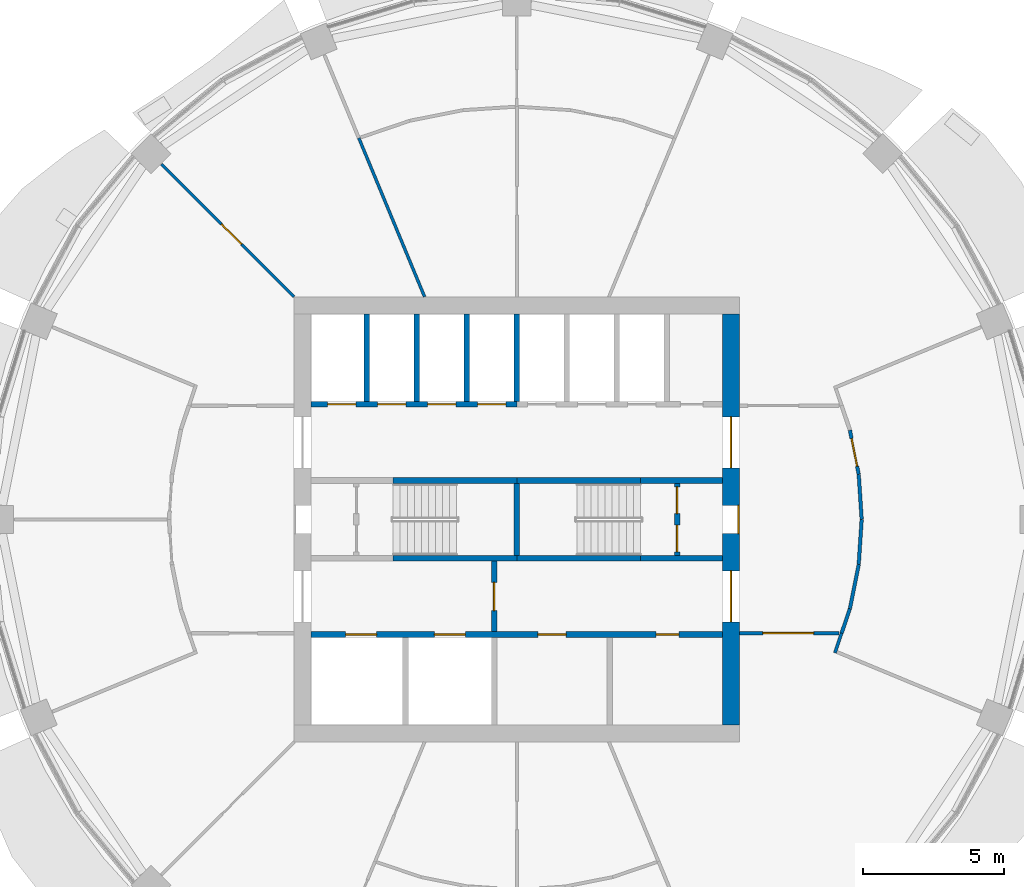
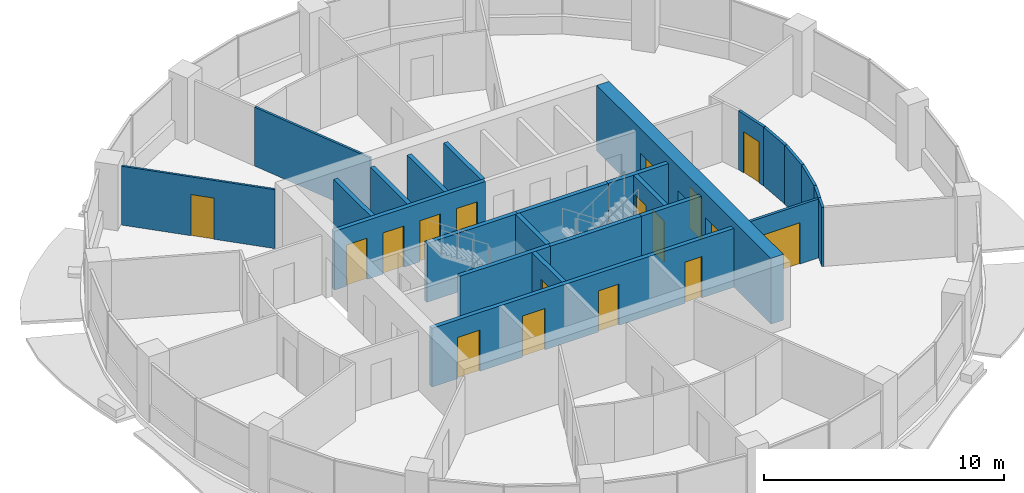
# One storey, part 9 of 14: 25 walls, 17 doors, 17 openings.
"""IFC4 building model written with IfcOpenShell, lengths in metres."""

from ifc_helpers import new_model, si_unit, direction, frame, frame_2d, origin, place, context, subcontext, project, spatial, rectangle, extrude, material, layer, layer_set, type_object, element, fill, save


model = new_model("IFC4")

# Units and contexts
model_context = context("Model", 3, precision=1e-05, world=origin(), true_north=direction((0.0, 1.0)))
body_context = subcontext(model_context, "Body", "Model", "MODEL_VIEW")
ifc_project = project(units=[si_unit("LENGTHUNIT", "METRE"), si_unit("AREAUNIT", "SQUARE_METRE"), si_unit("VOLUMEUNIT", "CUBIC_METRE"), si_unit("PLANEANGLEUNIT", "RADIAN"), si_unit("MASSUNIT", "GRAM", prefix="KILO")], contexts=[model_context])

# Site, building, storey
site_placement = place(None, origin())
site = spatial("IfcSite", under=ifc_project, at=site_placement, CompositionType="ELEMENT")
building_placement = place(site_placement, origin())
building = spatial("IfcBuilding", under=site, at=building_placement, Name="Polderwave Tower", CompositionType="ELEMENT")
storey_placement = place(building_placement, frame((0.0, 0.0, 141.050048828125)))
storey = spatial("IfcBuildingStorey", under=building, at=storey_placement, Name="L37", CompositionType="ELEMENT", Elevation=141.050048828125)

# Wall, openings, doors
ifc_material_1 = material(Name="Concrete C60/75", Category="concrete")
ifc_layer_1 = layer(ifc_material_1, 0.60009765625)
ifc_layer_set_1 = layer_set([ifc_layer_1], Name="CORE WALL 600 C60/75")
wall_type_1 = type_object("IfcWallType", Name="CORE WALL 600 C60/75", PredefinedType="SHEAR", material=ifc_layer_set_1)
wall_1_placement = place(storey_placement, frame((7.573974609375, -7.27392578125, 0.0), z_axis=(0.0, 0.0, 1.0), x_axis=(0.0, 1.0, 0.0)))
wall_1 = element("IfcWall", 1, at=wall_1_placement, inside=storey, type_object=wall_type_1, Name="ST-CORE-L37-E", PredefinedType="SHEAR", context=body_context, shape_type="SweptSolid", body=[
    extrude(rectangle(XDim=14.5478515625, YDim=0.60009765625, at=frame_2d((7.27392578125, 0.0))), origin(), (0.0, 0.0, 1.0), 3.349853515625),
])
opening_1_placement = place(wall_1_placement, frame((6.77392578125, 0.0, 0.0)))
opening_1 = element("IfcOpeningElement", 2, at=opening_1_placement, cuts=wall_1, Name="Opening L37-D21", PredefinedType="OPENING", context=body_context, shape_type="SweptSolid", body=[
    extrude(rectangle(XDim=1.0, YDim=2.10009765625, at=frame_2d((0.5, 1.050048828125))), frame((0.0, 0.31005859375, 0.0), z_axis=(0.0, -1.0, 0.0), x_axis=(1.0, 0.0, 0.0)), (0.0, 0.0, 1.0), 0.6201171875),
])
opening_2_placement = place(wall_1_placement, frame((3.6494140625, 0.0, 0.0)))
opening_2 = element("IfcOpeningElement", 3, at=opening_2_placement, cuts=wall_1, Name="Opening L37-D22", PredefinedType="OPENING", context=body_context, shape_type="SweptSolid", body=[
    extrude(rectangle(XDim=1.800048828125, YDim=2.10009765625, at=frame_2d((0.89990234375, 1.050048828125))), frame((0.0, 0.31005859375, 0.0), z_axis=(0.0, -1.0, 0.0), x_axis=(1.0, 0.0, 0.0)), (0.0, 0.0, 1.0), 0.6201171875),
])
opening_3_placement = place(wall_1_placement, frame((9.098388671875, 0.0, 0.0)))
opening_3 = element("IfcOpeningElement", 4, at=opening_3_placement, cuts=wall_1, Name="Opening L37-D23", PredefinedType="OPENING", context=body_context, shape_type="SweptSolid", body=[
    extrude(rectangle(XDim=1.800048828125, YDim=2.10009765625, at=frame_2d((0.89990234375, 1.050048828125))), frame((0.0, 0.31005859375, 0.0), z_axis=(0.0, -1.0, 0.0), x_axis=(1.0, 0.0, 0.0)), (0.0, 0.0, 1.0), 0.6201171875),
])
ifc_material_2 = material(Name="Steel fire door", Category="steel")
door_type_1 = type_object("IfcDoorType", Name="Lobby entry door pair 1800", OperationType="DOUBLE_DOOR_SINGLE_SWING", PredefinedType="DOOR", material=ifc_material_2)
door_1_placement = place(opening_2_placement, frame((1.800048828125, 0.0, 0.0), z_axis=(0.0, 0.0, 1.0), x_axis=(-1.0, 0.0, 0.0)))
door_1 = element("IfcDoor", 5, at=door_1_placement, inside=storey, type_object=door_type_1, Name="South lobby entry door", OperationType="DOUBLE_DOOR_SINGLE_SWING", OverallHeight=2.10009765625, OverallWidth=1.800048828125, PredefinedType="DOOR", context=body_context, shape_type="SweptSolid", body=[
    extrude(rectangle(XDim=1.800048828125, YDim=2.10009765625, at=frame_2d((0.89990234375, 1.050048828125))), frame((0.0, 0.02490234375, 0.0), z_axis=(0.0, -1.0, 0.0), x_axis=(1.0, 0.0, 0.0)), (0.0, 0.0, 1.0), 0.050048828125),
])
fill(opening_2, door_1)
door_2_placement = place(opening_3_placement, frame((1.800048828125, 0.0, 0.0), z_axis=(0.0, 0.0, 1.0), x_axis=(-1.0, 0.0, 0.0)))
door_2 = element("IfcDoor", 6, at=door_2_placement, inside=storey, type_object=door_type_1, Name="North lobby entry door", OperationType="DOUBLE_DOOR_SINGLE_SWING", OverallHeight=2.10009765625, OverallWidth=1.800048828125, PredefinedType="DOOR", context=body_context, shape_type="SweptSolid", body=[
    extrude(rectangle(XDim=1.800048828125, YDim=2.10009765625, at=frame_2d((0.89990234375, 1.050048828125))), frame((0.0, 0.02490234375, 0.0), z_axis=(0.0, -1.0, 0.0), x_axis=(1.0, 0.0, 0.0)), (0.0, 0.0, 1.0), 0.050048828125),
])
fill(opening_3, door_2)
door_type_2 = type_object("IfcDoorType", Name="Stair door 1000", OperationType="NOTDEFINED", PredefinedType="DOOR", material=ifc_material_2)
door_3_placement = place(opening_1_placement, frame((1.0, 0.0, 0.0), z_axis=(0.0, 0.0, 1.0), x_axis=(-1.0, 0.0, 0.0)))
door_3 = element("IfcDoor", 7, at=door_3_placement, inside=storey, type_object=door_type_2, Name="Stair B entry door", OperationType="SINGLE_SWING_LEFT", OverallHeight=2.10009765625, OverallWidth=1.0, PredefinedType="DOOR", context=body_context, shape_type="SweptSolid", body=[
    extrude(rectangle(XDim=1.0, YDim=2.10009765625, at=frame_2d((0.5, 1.050048828125))), frame((0.0, 0.2998046875, 0.0), z_axis=(0.0, -1.0, 0.0), x_axis=(1.0, 0.0, 0.0)), (0.0, 0.0, 1.0), 0.050048828125),
])
fill(opening_1, door_3)

# Wall, opening, door
ifc_material_3 = material(Name="Gypsum board partition")
ifc_layer_2 = layer(ifc_material_3, 0.199951171875)
ifc_layer_set_2 = layer_set([ifc_layer_2], Name="Core room partition 200")
wall_type_2 = type_object("IfcWallType", Name="Core room partition 200", PredefinedType="PARTITIONING", material=ifc_layer_set_2)
wall_2_placement = place(storey_placement, frame((-0.800048828125, -3.97412109375, 0.0), z_axis=(0.0, 0.0, 1.0), x_axis=(0.0, 1.0, 0.0)))
wall_2 = element("IfcWall", 8, at=wall_2_placement, inside=storey, type_object=wall_type_2, Name="L37 fire-fighting lobby wall", PredefinedType="PARTITIONING", context=body_context, shape_type="SweptSolid", body=[
    extrude(rectangle(XDim=2.4990234375, YDim=0.199951171875, at=frame_2d((1.24951171875, 0.0))), origin(), (0.0, 0.0, 1.0), 3.0),
])
opening_4_placement = place(wall_2_placement, frame((0.74951171875, 0.0, 0.0)))
opening_4 = element("IfcOpeningElement", 9, at=opening_4_placement, cuts=wall_2, Name="Opening L37-D14", PredefinedType="OPENING", context=body_context, shape_type="SweptSolid", body=[
    extrude(rectangle(XDim=1.0, YDim=2.10009765625, at=frame_2d((0.5, 1.050048828125))), frame((0.0, 0.10986328125, 0.0), z_axis=(0.0, -1.0, 0.0), x_axis=(1.0, 0.0, 0.0)), (0.0, 0.0, 1.0), 0.219970703125),
])
door_type_3 = type_object("IfcDoorType", Name="Lobby fire door 1000", OperationType="NOTDEFINED", PredefinedType="DOOR", material=ifc_material_2)
door_4_placement = place(opening_4_placement, frame((1.0, 0.0, 0.0), z_axis=(0.0, 0.0, 1.0), x_axis=(-1.0, 0.0, 0.0)))
door_4 = element("IfcDoor", 10, at=door_4_placement, inside=storey, type_object=door_type_3, Name="Fire-fighting lobby door", OperationType="SINGLE_SWING_LEFT", OverallHeight=2.10009765625, OverallWidth=1.0, PredefinedType="DOOR", context=body_context, shape_type="SweptSolid", body=[
    extrude(rectangle(XDim=1.0, YDim=2.10009765625, at=frame_2d((0.5, 1.050048828125))), frame((0.0, 0.02490234375, 0.0), z_axis=(0.0, -1.0, 0.0), x_axis=(1.0, 0.0, 0.0)), (0.0, 0.0, 1.0), 0.050048828125),
])
fill(opening_4, door_4)

# Wall, openings, doors
wall_3_placement = place(storey_placement, frame((5.674072265625, -1.27490234375, 0.0), z_axis=(0.0, 0.0, 1.0), x_axis=(0.0, 1.0, 0.0)))
wall_3 = element("IfcWall", 11, at=wall_3_placement, inside=storey, type_object=wall_type_2, Name="L37 smoke lobby wall B", PredefinedType="PARTITIONING", context=body_context, shape_type="SweptSolid", body=[
    extrude(rectangle(XDim=2.5498046875, YDim=0.199951171875, at=frame_2d((1.27490234375, 0.0))), origin(), (0.0, 0.0, 1.0), 3.0),
])
opening_5_placement = place(wall_3_placement, frame((0.125, 0.0, 0.0)))
opening_5 = element("IfcOpeningElement", 12, at=opening_5_placement, cuts=wall_3, Name="Opening L37-D12", PredefinedType="OPENING", context=body_context, shape_type="SweptSolid", body=[
    extrude(rectangle(XDim=0.949951171875, YDim=2.10009765625, at=frame_2d((0.47509765625, 1.050048828125))), frame((0.0, 0.10986328125, 0.0), z_axis=(0.0, -1.0, 0.0), x_axis=(1.0, 0.0, 0.0)), (0.0, 0.0, 1.0), 0.219970703125),
])
opening_6_placement = place(wall_3_placement, frame((1.47509765625, 0.0, 0.0)))
opening_6 = element("IfcOpeningElement", 13, at=opening_6_placement, cuts=wall_3, Name="Opening L37-D13", PredefinedType="OPENING", context=body_context, shape_type="SweptSolid", body=[
    extrude(rectangle(XDim=0.949951171875, YDim=2.10009765625, at=frame_2d((0.47509765625, 1.050048828125))), frame((0.0, 0.10986328125, 0.0), z_axis=(0.0, -1.0, 0.0), x_axis=(1.0, 0.0, 0.0)), (0.0, 0.0, 1.0), 0.219970703125),
])
door_type_4 = type_object("IfcDoorType", Name="Smoke lobby door 950", OperationType="NOTDEFINED", PredefinedType="DOOR", material=ifc_material_2)
door_5_placement = place(opening_5_placement, frame((0.949951171875, 0.0, 0.0), z_axis=(0.0, 0.0, 1.0), x_axis=(-1.0, 0.0, 0.0)))
door_5 = element("IfcDoor", 14, at=door_5_placement, inside=storey, type_object=door_type_4, Name="Stair B smoke lobby inner door", OperationType="SINGLE_SWING_RIGHT", OverallHeight=2.10009765625, OverallWidth=0.949951171875, PredefinedType="DOOR", context=body_context, shape_type="SweptSolid", body=[
    extrude(rectangle(XDim=0.949951171875, YDim=2.10009765625, at=frame_2d((0.47509765625, 1.050048828125))), frame((0.0, 0.02490234375, 0.0), z_axis=(0.0, -1.0, 0.0), x_axis=(1.0, 0.0, 0.0)), (0.0, 0.0, 1.0), 0.050048828125),
])
fill(opening_5, door_5)
door_6_placement = place(opening_6_placement, frame((0.949951171875, 0.0, 0.0), z_axis=(0.0, 0.0, 1.0), x_axis=(-1.0, 0.0, 0.0)))
door_6 = element("IfcDoor", 15, at=door_6_placement, inside=storey, type_object=door_type_4, Name="Stair B smoke lobby inner door", OperationType="SINGLE_SWING_LEFT", OverallHeight=2.10009765625, OverallWidth=0.949951171875, PredefinedType="DOOR", context=body_context, shape_type="SweptSolid", body=[
    extrude(rectangle(XDim=0.949951171875, YDim=2.10009765625, at=frame_2d((0.47509765625, 1.050048828125))), frame((0.0, 0.02490234375, 0.0), z_axis=(0.0, -1.0, 0.0), x_axis=(1.0, 0.0, 0.0)), (0.0, 0.0, 1.0), 0.050048828125),
])
fill(opening_6, door_6)

ifc_material_4 = material(Name="Concrete C50/60", Category="concrete")
ifc_layer_3 = layer(ifc_material_4, 0.199951171875)
ifc_layer_set_3 = layer_set([ifc_layer_3], Name="Core web wall 200")
wall_type_3 = type_object("IfcWallType", Name="Core web wall 200", PredefinedType="SHEAR", material=ifc_layer_set_3)
wall_4_placement = place(storey_placement, frame((-7.27392578125, -4.073974609375, 0.0), z_axis=(0.0, 0.0, 1.0), x_axis=(1.0, 0.0, 0.0)))
wall_4 = element("IfcWall", 16, at=wall_4_placement, inside=storey, type_object=wall_type_3, Name="L37 south front wall", PredefinedType="SHEAR", context=body_context, shape_type="SweptSolid", body=[
    extrude(rectangle(XDim=14.5478515625, YDim=0.199951171875, at=frame_2d((7.27392578125, 0.0))), origin(), (0.0, 0.0, 1.0), 3.0),
])
opening_7_placement = place(wall_4_placement, frame((1.218505859375, 0.0, 0.0)))
opening_7 = element("IfcOpeningElement", 17, at=opening_7_placement, cuts=wall_4, Name="Opening L37-D01", PredefinedType="OPENING", context=body_context, shape_type="SweptSolid", body=[
    extrude(rectangle(XDim=1.10009765625, YDim=2.10009765625, at=frame_2d((0.550048828125, 1.050048828125))), frame((0.0, 0.10986328125, 0.0), z_axis=(0.0, -1.0, 0.0), x_axis=(1.0, 0.0, 0.0)), (0.0, 0.0, 1.0), 0.219970703125),
])
opening_8_placement = place(wall_4_placement, frame((4.35546875, 0.0, 0.0)))
opening_8 = element("IfcOpeningElement", 18, at=opening_8_placement, cuts=wall_4, Name="Opening L37-D02", PredefinedType="OPENING", context=body_context, shape_type="SweptSolid", body=[
    extrude(rectangle(XDim=1.10009765625, YDim=2.10009765625, at=frame_2d((0.550048828125, 1.050048828125))), frame((0.0, 0.10986328125, 0.0), z_axis=(0.0, -1.0, 0.0), x_axis=(1.0, 0.0, 0.0)), (0.0, 0.0, 1.0), 0.219970703125),
])
opening_9_placement = place(wall_4_placement, frame((8.017578125, 0.0, 0.0)))
opening_9 = element("IfcOpeningElement", 19, at=opening_9_placement, cuts=wall_4, Name="Opening L37-D15", PredefinedType="OPENING", context=body_context, shape_type="SweptSolid", body=[
    extrude(rectangle(XDim=1.0, YDim=2.10009765625, at=frame_2d((0.5, 1.050048828125))), frame((0.0, 0.10986328125, 0.0), z_axis=(0.0, -1.0, 0.0), x_axis=(1.0, 0.0, 0.0)), (0.0, 0.0, 1.0), 0.219970703125),
])
opening_10_placement = place(wall_4_placement, frame((12.20458984375, 0.0, 0.0)))
opening_10 = element("IfcOpeningElement", 20, at=opening_10_placement, cuts=wall_4, Name="Opening L37-D16", PredefinedType="OPENING", context=body_context, shape_type="SweptSolid", body=[
    extrude(rectangle(XDim=0.800048828125, YDim=2.10009765625, at=frame_2d((0.39990234375, 1.050048828125))), frame((0.0, 0.10986328125, 0.0), z_axis=(0.0, -1.0, 0.0), x_axis=(1.0, 0.0, 0.0)), (0.0, 0.0, 1.0), 0.219970703125),
])
ifc_material_5 = material(Name="Stainless steel", Category="steel")
door_type_5 = type_object("IfcDoorType", Name="Fire-fighting lift landing door 1100", OperationType="DOUBLE_DOOR_SLIDING", PredefinedType="DOOR", material=ifc_material_5)
door_7_placement = place(opening_7_placement, origin())
door_7 = element("IfcDoor", 21, at=door_7_placement, inside=storey, type_object=door_type_5, Name="Fire-fighting lift FF1 landing door", OperationType="DOUBLE_DOOR_SLIDING", OverallHeight=2.10009765625, OverallWidth=1.10009765625, PredefinedType="DOOR", context=body_context, shape_type="SweptSolid", body=[
    extrude(rectangle(XDim=1.10009765625, YDim=2.10009765625, at=frame_2d((0.550048828125, 1.050048828125))), frame((0.0, 0.02490234375, 0.0), z_axis=(0.0, -1.0, 0.0), x_axis=(1.0, 0.0, 0.0)), (0.0, 0.0, 1.0), 0.050048828125),
])
fill(opening_7, door_7)
door_8_placement = place(opening_8_placement, origin())
door_8 = element("IfcDoor", 22, at=door_8_placement, inside=storey, type_object=door_type_5, Name="Fire-fighting lift FF2 landing door", OperationType="DOUBLE_DOOR_SLIDING", OverallHeight=2.10009765625, OverallWidth=1.10009765625, PredefinedType="DOOR", context=body_context, shape_type="SweptSolid", body=[
    extrude(rectangle(XDim=1.10009765625, YDim=2.10009765625, at=frame_2d((0.550048828125, 1.050048828125))), frame((0.0, 0.02490234375, 0.0), z_axis=(0.0, -1.0, 0.0), x_axis=(1.0, 0.0, 0.0)), (0.0, 0.0, 1.0), 0.050048828125),
])
fill(opening_8, door_8)
door_type_6 = type_object("IfcDoorType", Name="Riser door 800", OperationType="NOTDEFINED", PredefinedType="DOOR", material=ifc_material_2)
door_9_placement = place(opening_10_placement, origin())
door_9 = element("IfcDoor", 23, at=door_9_placement, inside=storey, type_object=door_type_6, Name="Switch room door", OperationType="SINGLE_SWING_RIGHT", OverallHeight=2.10009765625, OverallWidth=0.800048828125, PredefinedType="DOOR", context=body_context, shape_type="SweptSolid", body=[
    extrude(rectangle(XDim=0.800048828125, YDim=2.10009765625, at=frame_2d((0.39990234375, 1.050048828125))), frame((0.0, 0.02490234375, 0.0), z_axis=(0.0, -1.0, 0.0), x_axis=(1.0, 0.0, 0.0)), (0.0, 0.0, 1.0), 0.050048828125),
])
fill(opening_10, door_9)
ifc_material_6 = material(Name="Timber door leaf", Category="wood")
door_type_7 = type_object("IfcDoorType", Name="Room door 1000", OperationType="NOTDEFINED", PredefinedType="DOOR", material=ifc_material_6)
door_10_placement = place(opening_9_placement, origin())
door_10 = element("IfcDoor", 24, at=door_10_placement, inside=storey, type_object=door_type_7, Name="Plant room door", OperationType="SINGLE_SWING_RIGHT", OverallHeight=2.10009765625, OverallWidth=1.0, PredefinedType="DOOR", context=body_context, shape_type="SweptSolid", body=[
    extrude(rectangle(XDim=1.0, YDim=2.10009765625, at=frame_2d((0.5, 1.050048828125))), frame((0.0, 0.02490234375, 0.0), z_axis=(0.0, -1.0, 0.0), x_axis=(1.0, 0.0, 0.0)), (0.0, 0.0, 1.0), 0.050048828125),
])
fill(opening_9, door_10)

wall_5_placement = place(storey_placement, frame((-7.27392578125, 4.073974609375, 0.0), z_axis=(0.0, 0.0, 1.0), x_axis=(1.0, 0.0, 0.0)))
wall_5 = element("IfcWall", 25, at=wall_5_placement, inside=storey, type_object=wall_type_3, Name="L37 north front wall 1", PredefinedType="SHEAR", context=body_context, shape_type="SweptSolid", body=[
    extrude(rectangle(XDim=7.27392578125, YDim=0.199951171875, at=frame_2d((3.636962890625, 0.0))), origin(), (0.0, 0.0, 1.0), 3.0),
])
opening_11_placement = place(wall_5_placement, frame((0.584228515625, 0.0, 0.0)))
opening_11 = element("IfcOpeningElement", 26, at=opening_11_placement, cuts=wall_5, Name="Opening L37-D03", PredefinedType="OPENING", context=body_context, shape_type="SweptSolid", body=[
    extrude(rectangle(XDim=1.0, YDim=2.10009765625, at=frame_2d((0.5, 1.050048828125))), frame((0.0, 0.10986328125, 0.0), z_axis=(0.0, -1.0, 0.0), x_axis=(1.0, 0.0, 0.0)), (0.0, 0.0, 1.0), 0.219970703125),
])
opening_12_placement = place(wall_5_placement, frame((2.352783203125, 0.0, 0.0)))
opening_12 = element("IfcOpeningElement", 27, at=opening_12_placement, cuts=wall_5, Name="Opening L37-D04", PredefinedType="OPENING", context=body_context, shape_type="SweptSolid", body=[
    extrude(rectangle(XDim=1.0, YDim=2.10009765625, at=frame_2d((0.5, 1.050048828125))), frame((0.0, 0.10986328125, 0.0), z_axis=(0.0, -1.0, 0.0), x_axis=(1.0, 0.0, 0.0)), (0.0, 0.0, 1.0), 0.219970703125),
])
opening_13_placement = place(wall_5_placement, frame((4.12109375, 0.0, 0.0)))
opening_13 = element("IfcOpeningElement", 28, at=opening_13_placement, cuts=wall_5, Name="Opening L37-D05", PredefinedType="OPENING", context=body_context, shape_type="SweptSolid", body=[
    extrude(rectangle(XDim=1.0, YDim=2.10009765625, at=frame_2d((0.5, 1.050048828125))), frame((0.0, 0.10986328125, 0.0), z_axis=(0.0, -1.0, 0.0), x_axis=(1.0, 0.0, 0.0)), (0.0, 0.0, 1.0), 0.219970703125),
])
opening_14_placement = place(wall_5_placement, frame((5.889892578125, 0.0, 0.0)))
opening_14 = element("IfcOpeningElement", 29, at=opening_14_placement, cuts=wall_5, Name="Opening L37-D06", PredefinedType="OPENING", context=body_context, shape_type="SweptSolid", body=[
    extrude(rectangle(XDim=1.0, YDim=2.10009765625, at=frame_2d((0.5, 1.050048828125))), frame((0.0, 0.10986328125, 0.0), z_axis=(0.0, -1.0, 0.0), x_axis=(1.0, 0.0, 0.0)), (0.0, 0.0, 1.0), 0.219970703125),
])
door_type_8 = type_object("IfcDoorType", Name="Lift landing door 1000", OperationType="DOUBLE_DOOR_SLIDING", PredefinedType="DOOR", material=ifc_material_5)
door_11_placement = place(opening_11_placement, frame((1.0, 0.0, 0.0), z_axis=(0.0, 0.0, 1.0), x_axis=(-1.0, 0.0, 0.0)))
door_11 = element("IfcDoor", 30, at=door_11_placement, inside=storey, type_object=door_type_8, Name="Lift HL1 landing door", OperationType="DOUBLE_DOOR_SLIDING", OverallHeight=2.10009765625, OverallWidth=1.0, PredefinedType="DOOR", context=body_context, shape_type="SweptSolid", body=[
    extrude(rectangle(XDim=1.0, YDim=2.10009765625, at=frame_2d((0.5, 1.050048828125))), frame((0.0, 0.02490234375, 0.0), z_axis=(0.0, -1.0, 0.0), x_axis=(1.0, 0.0, 0.0)), (0.0, 0.0, 1.0), 0.050048828125),
])
fill(opening_11, door_11)
door_12_placement = place(opening_12_placement, frame((1.0, 0.0, 0.0), z_axis=(0.0, 0.0, 1.0), x_axis=(-1.0, 0.0, 0.0)))
door_12 = element("IfcDoor", 31, at=door_12_placement, inside=storey, type_object=door_type_8, Name="Lift HL2 landing door", OperationType="DOUBLE_DOOR_SLIDING", OverallHeight=2.10009765625, OverallWidth=1.0, PredefinedType="DOOR", context=body_context, shape_type="SweptSolid", body=[
    extrude(rectangle(XDim=1.0, YDim=2.10009765625, at=frame_2d((0.5, 1.050048828125))), frame((0.0, 0.02490234375, 0.0), z_axis=(0.0, -1.0, 0.0), x_axis=(1.0, 0.0, 0.0)), (0.0, 0.0, 1.0), 0.050048828125),
])
fill(opening_12, door_12)
door_13_placement = place(opening_13_placement, frame((1.0, 0.0, 0.0), z_axis=(0.0, 0.0, 1.0), x_axis=(-1.0, 0.0, 0.0)))
door_13 = element("IfcDoor", 32, at=door_13_placement, inside=storey, type_object=door_type_8, Name="Lift HL3 landing door", OperationType="DOUBLE_DOOR_SLIDING", OverallHeight=2.10009765625, OverallWidth=1.0, PredefinedType="DOOR", context=body_context, shape_type="SweptSolid", body=[
    extrude(rectangle(XDim=1.0, YDim=2.10009765625, at=frame_2d((0.5, 1.050048828125))), frame((0.0, 0.02490234375, 0.0), z_axis=(0.0, -1.0, 0.0), x_axis=(1.0, 0.0, 0.0)), (0.0, 0.0, 1.0), 0.050048828125),
])
fill(opening_13, door_13)
door_14_placement = place(opening_14_placement, frame((1.0, 0.0, 0.0), z_axis=(0.0, 0.0, 1.0), x_axis=(-1.0, 0.0, 0.0)))
door_14 = element("IfcDoor", 33, at=door_14_placement, inside=storey, type_object=door_type_8, Name="Lift HL4 landing door", OperationType="DOUBLE_DOOR_SLIDING", OverallHeight=2.10009765625, OverallWidth=1.0, PredefinedType="DOOR", context=body_context, shape_type="SweptSolid", body=[
    extrude(rectangle(XDim=1.0, YDim=2.10009765625, at=frame_2d((0.5, 1.050048828125))), frame((0.0, 0.02490234375, 0.0), z_axis=(0.0, -1.0, 0.0), x_axis=(1.0, 0.0, 0.0)), (0.0, 0.0, 1.0), 0.050048828125),
])
fill(opening_14, door_14)

# Walls
for number, where, z_axis, x_axis, name in (
    (34, (-4.3740234375, -1.375, 0.0), (0.0, 0.0, 1.0), (1.0, 0.0, 0.0), "L37 south stair wall 2"),
    (35, (0.0, -1.375, 0.0), (0.0, 0.0, 1.0), (1.0, 0.0, 0.0), "L37 south stair wall 3"),
):
    element("IfcWall", number, at=place(storey_placement, frame(where, z_axis=z_axis, x_axis=x_axis)), inside=storey, type_object=wall_type_3, Name=name, PredefinedType="SHEAR", context=body_context, shape_type="SweptSolid", body=[
        extrude(rectangle(XDim=4.3740234375, YDim=0.199951171875, at=frame_2d((2.18701171875, 0.0))), origin(), (0.0, 0.0, 1.0), 3.0),
    ])
wall_6_placement = place(storey_placement, frame((4.3740234375, -1.375, 0.0), z_axis=(0.0, 0.0, 1.0), x_axis=(1.0, 0.0, 0.0)))
element("IfcWall", 36, at=wall_6_placement, inside=storey, type_object=wall_type_3, Name="L37 south stair wall 4", PredefinedType="SHEAR", context=body_context, shape_type="SweptSolid", body=[
    extrude(rectangle(XDim=2.89990234375, YDim=0.199951171875, at=frame_2d((1.449951171875, 0.0))), origin(), (0.0, 0.0, 1.0), 3.0),
])
for number, where, z_axis, x_axis, name in (
    (37, (-4.3740234375, 1.375, 0.0), (0.0, 0.0, 1.0), (1.0, 0.0, 0.0), "L37 north stair wall 2"),
    (38, (0.0, 1.375, 0.0), (0.0, 0.0, 1.0), (1.0, 0.0, 0.0), "L37 north stair wall 3"),
):
    element("IfcWall", number, at=place(storey_placement, frame(where, z_axis=z_axis, x_axis=x_axis)), inside=storey, type_object=wall_type_3, Name=name, PredefinedType="SHEAR", context=body_context, shape_type="SweptSolid", body=[
        extrude(rectangle(XDim=4.3740234375, YDim=0.199951171875, at=frame_2d((2.18701171875, 0.0))), origin(), (0.0, 0.0, 1.0), 3.0),
    ])
wall_7_placement = place(storey_placement, frame((4.3740234375, 1.375, 0.0), z_axis=(0.0, 0.0, 1.0), x_axis=(1.0, 0.0, 0.0)))
element("IfcWall", 39, at=wall_7_placement, inside=storey, type_object=wall_type_3, Name="L37 north stair wall 4", PredefinedType="SHEAR", context=body_context, shape_type="SweptSolid", body=[
    extrude(rectangle(XDim=2.89990234375, YDim=0.199951171875, at=frame_2d((1.449951171875, 0.0))), origin(), (0.0, 0.0, 1.0), 3.0),
])
wall_8_placement = place(storey_placement, frame((0.0, -1.27490234375, 0.0), z_axis=(0.0, 0.0, 1.0), x_axis=(0.0, 1.0, 0.0)))
element("IfcWall", 40, at=wall_8_placement, inside=storey, type_object=wall_type_3, Name="L37 wall between the stairs", PredefinedType="SHEAR", context=body_context, shape_type="SweptSolid", body=[
    extrude(rectangle(XDim=2.5498046875, YDim=0.199951171875, at=frame_2d((1.27490234375, 0.0))), origin(), (0.0, 0.0, 1.0), 3.0),
])
ifc_material_7 = material(Name="Fire-resisting board on steel studs", Category="steel")
ifc_layer_4 = layer(ifc_material_7, 0.125)
ifc_layer_set_4 = layer_set([ifc_layer_4], Name="Corridor wall 125 mm EI 60")
wall_type_4 = type_object("IfcWallType", Name="Corridor wall 125 mm EI 60", PredefinedType="PARTITIONING", material=ifc_layer_set_4)
wall_9_placement = place(storey_placement, frame((11.782958984375, -3.16162109375, 0.0), z_axis=(0.0, 0.0, 1.0), x_axis=(-0.321528033916, -0.946900059883, 0.0)))
element("IfcWall", 41, at=wall_9_placement, inside=storey, type_object=wall_type_4, Name="IN-L37-W002", PredefinedType="PARTITIONING", context=body_context, shape_type="SweptSolid", body=[
    extrude(rectangle(XDim=0.9111328125, YDim=0.125, at=frame_2d((0.45556640625, 0.0))), origin(), (0.0, 0.0, 1.0), 3.0),
])

# Wall, opening, door
wall_10_placement = place(storey_placement, frame((11.78515625, 3.153564453125, 0.0), z_axis=(0.0, 0.0, 1.0), x_axis=(0.194992234072, -0.980804786209, 0.0)))
wall_10 = element("IfcWall", 42, at=wall_10_placement, inside=storey, type_object=wall_type_4, Name="IN-L37-W003", PredefinedType="PARTITIONING", context=body_context, shape_type="SweptSolid", body=[
    extrude(rectangle(XDim=1.587646484375, YDim=0.125, at=frame_2d((0.7939453125, 0.0))), origin(), (0.0, 0.0, 1.0), 3.0),
])
opening_15_placement = place(wall_10_placement, frame((0.300048828125, 0.0, 0.0)))
opening_15 = element("IfcOpeningElement", 43, at=opening_15_placement, cuts=wall_10, Name="Opening L37-D50", PredefinedType="OPENING", context=body_context, shape_type="SweptSolid", body=[
    extrude(rectangle(XDim=1.0, YDim=2.10009765625, at=frame_2d((0.5, 1.050048828125))), frame((0.0, 0.072509765625, 0.0), z_axis=(0.0, -1.0, 0.0), x_axis=(1.0, 0.0, 0.0)), (0.0, 0.0, 1.0), 0.14501953125),
])
ifc_material_8 = material(Name="Timber fire door leaf", Category="wood")
door_type_9 = type_object("IfcDoorType", Name="Fire door FD30S 1000 x 2100", OperationType="NOTDEFINED", PredefinedType="DOOR", material=ifc_material_8)
door_15_placement = place(opening_15_placement, origin())
door_15 = element("IfcDoor", 44, at=door_15_placement, inside=storey, type_object=door_type_9, Name="Door L37-D50", OperationType="SINGLE_SWING_RIGHT", OverallHeight=2.10009765625, OverallWidth=1.0, PredefinedType="DOOR", context=body_context, shape_type="SweptSolid", body=[
    extrude(rectangle(XDim=1.0, YDim=2.10009765625, at=frame_2d((0.5, 1.050048828125))), frame((0.0, 0.02490234375, 0.0), z_axis=(0.0, -1.0, 0.0), x_axis=(1.0, 0.0, 0.0)), (0.0, 0.0, 1.0), 0.050048828125),
])
fill(opening_15, door_15)

# Walls
for number, where, z_axis, x_axis, name in (
    (45, (12.0947265625, -1.596435546875, 0.0), (0.0, 0.0, 1.0), (-0.194992234072, -0.980804786209, 0.0), "IN-L37-W004"),
    (46, (12.095947265625, 1.58837890625, 0.0), (0.0, 0.0, 1.0), (0.065355427749, -0.997862048614, 0.0), "IN-L37-W005"),
    (47, (12.19970703125, -0.004150390625, 0.0), (0.0, 0.0, 1.0), (-0.065355427749, -0.997862048614, 0.0), "IN-L37-W006"),
):
    element("IfcWall", number, at=place(storey_placement, frame(where, z_axis=z_axis, x_axis=x_axis)), inside=storey, type_object=wall_type_4, Name=name, PredefinedType="PARTITIONING", context=body_context, shape_type="SweptSolid", body=[
        extrude(rectangle(XDim=1.587646484375, YDim=0.125, at=frame_2d((0.7939453125, 0.0))), origin(), (0.0, 0.0, 1.0), 3.0),
    ])

# Wall, opening, door
wall_11_placement = place(storey_placement, frame((11.40283203125, -4.0244140625, 0.0), z_axis=(0.0, 0.0, 1.0), x_axis=(-1.0, 0.0, 0.0)))
wall_11 = element("IfcWall", 48, at=wall_11_placement, inside=storey, type_object=wall_type_4, Name="IN-L37-W008", PredefinedType="PARTITIONING", context=body_context, shape_type="SweptSolid", body=[
    extrude(rectangle(XDim=3.52880859375, YDim=0.125, at=frame_2d((1.764404296875, 0.0))), origin(), (0.0, 0.0, 1.0), 3.0),
])
opening_16_placement = place(wall_11_placement, frame((0.89990234375, 0.0, 0.0)))
opening_16 = element("IfcOpeningElement", 49, at=opening_16_placement, cuts=wall_11, Name="Opening L37-D52", PredefinedType="OPENING", context=body_context, shape_type="SweptSolid", body=[
    extrude(rectangle(XDim=1.800048828125, YDim=2.10009765625, at=frame_2d((0.89990234375, 1.050048828125))), frame((0.0, 0.072509765625, 0.0), z_axis=(0.0, -1.0, 0.0), x_axis=(1.0, 0.0, 0.0)), (0.0, 0.0, 1.0), 0.14501953125),
])
ifc_material_9 = material(Name="Timber fire door leaves", Category="wood")
door_type_10 = type_object("IfcDoorType", Name="Double fire door FD30S 1800 x 2100", OperationType="NOTDEFINED", PredefinedType="DOOR", material=ifc_material_9)
door_16_placement = place(opening_16_placement, origin())
door_16 = element("IfcDoor", 50, at=door_16_placement, inside=storey, type_object=door_type_10, Name="Door L37-D52", OperationType="DOUBLE_DOOR_SINGLE_SWING", OverallHeight=2.10009765625, OverallWidth=1.800048828125, PredefinedType="DOOR", context=body_context, shape_type="SweptSolid", body=[
    extrude(rectangle(XDim=1.800048828125, YDim=2.10009765625, at=frame_2d((0.89990234375, 1.050048828125))), frame((0.0, 0.02490234375, 0.0), z_axis=(0.0, -1.0, 0.0), x_axis=(1.0, 0.0, 0.0)), (0.0, 0.0, 1.0), 0.050048828125),
])
fill(opening_16, door_16)

ifc_material_10 = material(Name="Plasterboard on steel studs", Category="steel")
ifc_layer_5 = layer(ifc_material_10, 0.10009765625)
ifc_layer_set_5 = layer_set([ifc_layer_5], Name="Partition 100 mm plasterboard on steel studs")
wall_type_5 = type_object("IfcWallType", Name="Partition 100 mm plasterboard on steel studs", PredefinedType="PARTITIONING", material=ifc_layer_set_5)
wall_12_placement = place(storey_placement, frame((-12.565185546875, 12.565185546875, 0.0), z_axis=(0.0, 0.0, 1.0), x_axis=(0.707106781187, -0.707106781187, 0.0)))
wall_12 = element("IfcWall", 51, at=wall_12_placement, inside=storey, type_object=wall_type_5, Name="IN-L37-W033", PredefinedType="PARTITIONING", context=body_context, shape_type="SweptSolid", body=[
    extrude(rectangle(XDim=6.63427734375, YDim=0.10009765625, at=frame_2d((3.317138671875, 0.0))), origin(), (0.0, 0.0, 1.0), 3.0),
])
opening_17_placement = place(wall_12_placement, frame((3.0, 0.0, 0.0)))
opening_17 = element("IfcOpeningElement", 52, at=opening_17_placement, cuts=wall_12, Name="Opening L37-D61", PredefinedType="OPENING", context=body_context, shape_type="SweptSolid", body=[
    extrude(rectangle(XDim=1.0, YDim=2.10009765625, at=frame_2d((0.5, 1.050048828125))), frame((0.0, 0.06005859375, 0.0), z_axis=(0.0, -1.0, 0.0), x_axis=(1.0, 0.0, 0.0)), (0.0, 0.0, 1.0), 0.1201171875),
])
ifc_material_11 = material(Name="Timber veneer door leaf", Category="wood")
door_type_11 = type_object("IfcDoorType", Name="Single door 1000 x 2100", OperationType="NOTDEFINED", PredefinedType="DOOR", material=ifc_material_11)
door_17_placement = place(opening_17_placement, origin())
door_17 = element("IfcDoor", 53, at=door_17_placement, inside=storey, type_object=door_type_11, Name="Door L37-D61", OperationType="SINGLE_SWING_RIGHT", OverallHeight=2.10009765625, OverallWidth=1.0, PredefinedType="DOOR", context=body_context, shape_type="SweptSolid", body=[
    extrude(rectangle(XDim=1.0, YDim=2.10009765625, at=frame_2d((0.5, 1.050048828125))), frame((0.0, 0.02490234375, 0.0), z_axis=(0.0, -1.0, 0.0), x_axis=(1.0, 0.0, 0.0)), (0.0, 0.0, 1.0), 0.050048828125),
])
fill(opening_17, door_17)

# Walls
ifc_material_12 = material(Name="Moisture-resistant board on steel studs, tiled", Category="steel")
ifc_layer_6 = layer(ifc_material_12, 0.10498046875)
ifc_layer_set_6 = layer_set([ifc_layer_6], Name="Partition 105 mm wet room board and tile")
wall_type_6 = type_object("IfcWallType", Name="Partition 105 mm wet room board and tile", PredefinedType="PARTITIONING", material=ifc_layer_set_6)
wall_13_placement = place(storey_placement, frame((-3.261474609375, 7.8740234375, 0.0), z_axis=(0.0, 0.0, 1.0), x_axis=(-0.382694772383, 0.92387483524, 0.0)))
element("IfcWall", 54, at=wall_13_placement, inside=storey, type_object=wall_type_6, Name="IN-L37-W031", PredefinedType="PARTITIONING", context=body_context, shape_type="SweptSolid", body=[
    extrude(rectangle(XDim=6.0771484375, YDim=0.10498046875, at=frame_2d((3.03857421875, 0.0))), origin(), (0.0, 0.0, 1.0), 3.0),
])
ifc_material_13 = material(Name="Acoustic double plasterboard on steel studs", Category="steel")
ifc_layer_7 = layer(ifc_material_13, 0.110107421875)
ifc_layer_set_7 = layer_set([ifc_layer_7], Name="Partition 110 mm acoustic double board")
wall_type_7 = type_object("IfcWallType", Name="Partition 110 mm acoustic double board", PredefinedType="PARTITIONING", material=ifc_layer_set_7)
wall_14_placement = place(storey_placement, frame((11.253662109375, -4.720703125, 0.0), z_axis=(0.0, 0.0, 1.0), x_axis=(0.321402682693, 0.946942614712, 0.0)))
element("IfcWall", 55, at=wall_14_placement, inside=storey, type_object=wall_type_7, Name="IN-L37-W019", PredefinedType="PARTITIONING", context=body_context, shape_type="SweptSolid", body=[
    extrude(rectangle(XDim=0.7353515625, YDim=0.110107421875, at=frame_2d((0.36767578125, 0.0))), origin(), (0.0, 0.0, 1.0), 3.0),
])
ifc_material_14 = material(Name="Gypsum shaft wall system")
ifc_layer_8 = layer(ifc_material_14, 0.199951171875)
ifc_layer_set_8 = layer_set([ifc_layer_8], Name="Shaft wall 200")
wall_type_8 = type_object("IfcWallType", Name="Shaft wall 200", PredefinedType="PARTITIONING", material=ifc_layer_set_8)
for number, where, z_axis, x_axis, name in (
    (56, (-5.305419921875, 4.174072265625, 0.0), (0.0, 0.0, 1.0), (0.0, 1.0, 0.0), "L37 lift shaft wall N1"),
    (57, (-3.537109375, 4.174072265625, 0.0), (0.0, 0.0, 1.0), (0.0, 1.0, 0.0), "L37 lift shaft wall N2"),
    (58, (-1.7685546875, 4.174072265625, 0.0), (0.0, 0.0, 1.0), (0.0, 1.0, 0.0), "L37 lift shaft wall N3"),
    (59, (0.0, 4.174072265625, 0.0), (0.0, 0.0, 1.0), (0.0, 1.0, 0.0), "L37 lift shaft wall N4"),
):
    element("IfcWall", number, at=place(storey_placement, frame(where, z_axis=z_axis, x_axis=x_axis)), inside=storey, type_object=wall_type_8, Name=name, PredefinedType="PARTITIONING", context=body_context, shape_type="SweptSolid", body=[
        extrude(rectangle(XDim=3.099853515625, YDim=0.199951171875, at=frame_2d((1.5498046875, 0.0))), origin(), (0.0, 0.0, 1.0), 3.0),
    ])

save(model, "model.ifc")
